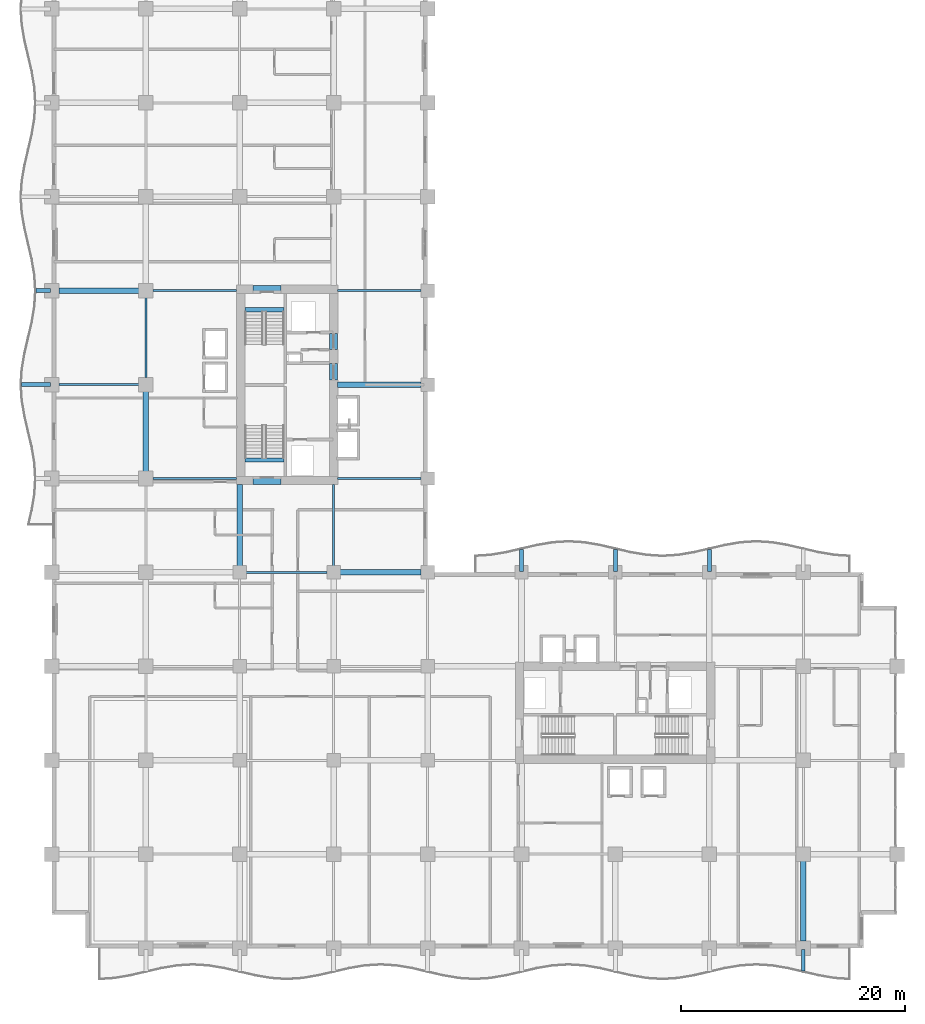
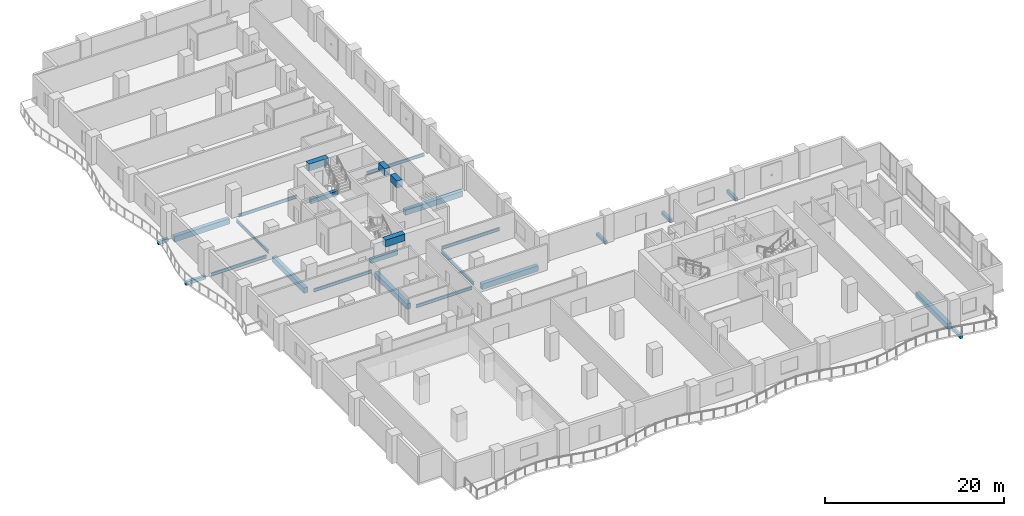
# One storey, part 2 of 24: 26 beams.
"""IFC4 building model written with IfcOpenShell, lengths in metres."""

import ifcopenshell
import ifcopenshell.guid

model = None  # the IFC model being written
_history = None  # IfcOwnerHistory: only IFC2X3 demands one
_inside = {}  # id of a spatial element -> (the spatial element, [elements in it])
_under = {}  # id of a project, library or spatial element -> (it, [spatial elements below it])
_declared = {}  # id of a project -> (the project, [libraries it declares])
_typed = {}  # id of a type object -> (the type object, [elements of that type])
_made_of = {}  # id of a material, layer set ... -> (it, [elements and type objects made of it])


def new_model(schema):
    """Start an empty IFC model of exactly this schema.

    Asked for "IFC4X3", IfcOpenShell would pick the latest addendum, in which some entities
    have other attributes; the version numbers below select the first issue.
    IFC2X3 requires an IfcOwnerHistory on every rooted entity: one is made here for all.
    """
    global model, _history
    if schema == "IFC4X3":
        model = ifcopenshell.file(schema_version=(4, 3, 0, 0))
    else:
        model = ifcopenshell.file(schema=schema)
    _inside.clear()
    _under.clear()
    _declared.clear()
    _typed.clear()
    _made_of.clear()
    _history = None
    if model.schema == "IFC2X3":
        org = make("IfcOrganization", Name="unknown")
        user = make(
            "IfcPersonAndOrganization",
            ThePerson=make("IfcPerson", FamilyName="unknown"),
            TheOrganization=org,
        )
        app = make(
            "IfcApplication",
            ApplicationDeveloper=org,
            Version="unknown",
            ApplicationFullName="unknown",
            ApplicationIdentifier="unknown",
        )
        _history = make(
            "IfcOwnerHistory",
            OwningUser=user,
            OwningApplication=app,
            ChangeAction="ADDED",
            CreationDate=0,
        )
    return model


def make(cls, **values):
    """One entity of the class cls with the attributes given. An attribute that is None is left unset."""
    return model.create_entity(
        cls, **{name: value for name, value in values.items() if value is not None}
    )


def rooted(cls, **values):
    """An entity with a GlobalId (a new one), such as an element, a storey or a relation."""
    return make(cls, GlobalId=ifcopenshell.guid.new(), OwnerHistory=_history, **values)


def si_unit(unit_type, name, prefix=None):
    """IfcSIUnit, for example si_unit("LENGTHUNIT", "METRE", prefix="MILLI")."""
    return make("IfcSIUnit", UnitType=unit_type, Prefix=prefix, Name=name)


def assignment(units):
    """IfcUnitAssignment: the units of a project."""
    return None if units is None else make("IfcUnitAssignment", Units=units)


def point(xyz):
    """IfcCartesianPoint."""
    return None if xyz is None else make("IfcCartesianPoint", Coordinates=xyz)


def direction(xyz):
    """IfcDirection."""
    return None if xyz is None else make("IfcDirection", DirectionRatios=xyz)


def frame(location, z_axis=None, x_axis=None):
    """IfcAxis2Placement3D, a coordinate frame: its origin and axes. An axis left out is left unset."""
    return make(
        "IfcAxis2Placement3D",
        Location=point(location),
        Axis=direction(z_axis),
        RefDirection=direction(x_axis),
    )


def frame_2d(location, x_axis=None):
    """IfcAxis2Placement2D, a coordinate frame in the plane: its origin and x axis."""
    return make(
        "IfcAxis2Placement2D", Location=point(location), RefDirection=direction(x_axis)
    )


def origin():
    """The frame at (0, 0, 0) with its axes left unset."""
    return frame((0.0, 0.0, 0.0))


def origin_2d():
    """The frame at (0, 0) in the plane with its x axis left unset."""
    return frame_2d((0.0, 0.0))


def place(relative_to, where):
    """IfcLocalPlacement: puts the frame where relative to a parent placement (None: the world)."""
    return make(
        "IfcLocalPlacement", PlacementRelTo=relative_to, RelativePlacement=where
    )


def context(
    kind, dimensions, precision=None, world=None, true_north=None, identifier=None
):
    """IfcGeometricRepresentationContext, for example the 3D "Model" context."""
    return make(
        "IfcGeometricRepresentationContext",
        ContextIdentifier=identifier,
        ContextType=kind,
        CoordinateSpaceDimension=dimensions,
        Precision=precision,
        WorldCoordinateSystem=world,
        TrueNorth=true_north,
    )


def subcontext(parent, identifier, kind, view, scale=None):
    """IfcGeometricRepresentationSubContext, for example "Body" below "Model"."""
    return make(
        "IfcGeometricRepresentationSubContext",
        ContextIdentifier=identifier,
        ContextType=kind,
        ParentContext=parent,
        TargetScale=scale,
        TargetView=view,
    )


def project(units=None, contexts=None):
    """IfcProject with its units and contexts."""
    return rooted(
        "IfcProject",
        Name="project",
        RepresentationContexts=contexts,
        UnitsInContext=assignment(units),
    )


def spatial(cls, under=None, at=None, **own):
    """A site, building, storey or space (cls), placed at a placement, below another one or the project."""
    s = rooted(cls, ObjectPlacement=at, **own)
    if under is not None:
        _under.setdefault(under.id(), (under, []))[1].append(s)
    return s


def profile(cls, at=None, kind="AREA", **sizes):
    """A parametric profile (cls). Its sizes go by their IFC names, for example OverallWidth=200.0."""
    return make(cls, ProfileType=kind, Position=at, **sizes)


def rectangle(**sizes):
    """IfcRectangleProfileDef."""
    return profile("IfcRectangleProfileDef", **sizes)


def i_section(**sizes):
    """IfcIShapeProfileDef."""
    return profile("IfcIShapeProfileDef", **sizes)


def extrude(swept, where, along, depth):
    """IfcExtrudedAreaSolid: the profile swept, set in the frame where, extruded along a direction by depth."""
    return make(
        "IfcExtrudedAreaSolid",
        SweptArea=swept,
        Position=where,
        ExtrudedDirection=direction(along),
        Depth=depth,
    )


def shape(context_of_items, identifier, shape_type, items):
    """IfcShapeRepresentation: the items that make up one representation, for example the "Body"."""
    return make(
        "IfcShapeRepresentation",
        ContextOfItems=context_of_items,
        RepresentationIdentifier=identifier,
        RepresentationType=shape_type,
        Items=items,
    )


def material(Name=None, Category=None):
    """IfcMaterial."""
    return make("IfcMaterial", Name=Name, Category=Category)


def material_profile(
    of_material, cross_section, Name=None, Category=None, Priority=None
):
    """IfcMaterialProfile: a cross section and its material."""
    return make(
        "IfcMaterialProfile",
        Name=Name,
        Material=of_material,
        Profile=cross_section,
        Priority=Priority,
        Category=Category,
    )


def profile_set(profiles, Name=None, composite=None):
    """IfcMaterialProfileSet."""
    return make(
        "IfcMaterialProfileSet",
        Name=Name,
        MaterialProfiles=profiles,
        CompositeProfile=composite,
    )


def made_of(thing, what):
    """Note that an element or type object is made of a material, layer set ...; save() writes the relation."""
    if what is not None:
        _made_of.setdefault(what.id(), (what, []))[1].append(thing)
    return thing


def type_object(cls, material=None, **own):
    """A type object (cls), such as IfcWallType, which elements share."""
    return made_of(rooted(cls, **own), material)


def element(
    cls,
    number,
    at=None,
    inside=None,
    cuts=None,
    type_object=None,
    material=None,
    context=None,
    identifier="Body",
    shape_type=None,
    held_by="IfcProductDefinitionShape",
    body=None,
    shapes=None,
    **own,
):
    """One element of the class cls, such as IfcWall. Its Tag is "e" and its number.

    at: its placement. inside: the storey or other place that contains it. cuts: it is an
    opening in that element (IfcRelVoidsElement). A single representation is given by context,
    identifier, shape_type and body (its items); several are given by shapes. held_by: the class
    of the entity that holds the representations. save() writes the other relations.
    """
    e = rooted(cls, Tag="e%d" % number, ObjectPlacement=at, **own)
    if body is not None:
        shapes = [shape(context, identifier, shape_type, body)]
    if shapes is not None:
        e.Representation = make(held_by, Representations=shapes)
    if inside is not None:
        _inside.setdefault(inside.id(), (inside, []))[1].append(e)
    if cuts is not None:
        rooted(
            "IfcRelVoidsElement", RelatingBuildingElement=cuts, RelatedOpeningElement=e
        )
    if type_object is not None:
        _typed.setdefault(type_object.id(), (type_object, []))[1].append(e)
    return made_of(e, material)


def aggregate(whole, parts):
    """IfcRelAggregates: a whole, such as a stair, and the parts it consists of."""
    return rooted("IfcRelAggregates", RelatingObject=whole, RelatedObjects=parts)


def save(model, path):
    """Write the relations noted so far, then the file.

    IfcRelAggregates (storeys below a building ...), IfcRelContainedInSpatialStructure (elements
    in a storey), IfcRelDefinesByType, IfcRelAssociatesMaterial and IfcRelDeclares: one each for
    every whole, place, type object, material and project.
    """
    for whole, parts in _under.values():
        aggregate(whole, parts)
    for where, things in _inside.values():
        rooted(
            "IfcRelContainedInSpatialStructure",
            RelatedElements=things,
            RelatingStructure=where,
        )
    for kind, things in _typed.values():
        rooted("IfcRelDefinesByType", RelatedObjects=things, RelatingType=kind)
    for what, things in _made_of.values():
        rooted("IfcRelAssociatesMaterial", RelatedObjects=things, RelatingMaterial=what)
    for by, libraries in _declared.values():
        rooted("IfcRelDeclares", RelatingContext=by, RelatedDefinitions=libraries)
    model.write(path)


model = new_model("IFC4")

# Units and contexts
model_context = context("Model", 3, precision=1e-05, world=origin(), true_north=direction((0.0, 1.0)))
body_context = subcontext(model_context, "Body", "Model", "MODEL_VIEW")
ifc_project = project(units=[si_unit("LENGTHUNIT", "METRE"), si_unit("AREAUNIT", "SQUARE_METRE"), si_unit("VOLUMEUNIT", "CUBIC_METRE"), si_unit("PLANEANGLEUNIT", "RADIAN"), si_unit("MASSUNIT", "GRAM", prefix="KILO")], contexts=[model_context])

# Site, building, storey
site_placement = place(None, origin())
site = spatial("IfcSite", under=ifc_project, at=site_placement, CompositionType="ELEMENT")
building_placement = place(site_placement, origin())
building = spatial("IfcBuilding", under=site, at=building_placement, Name="Koriwani Terraces Tower", CompositionType="ELEMENT")
storey_placement = place(building_placement, frame((0.0, 0.0, 149.39990234375)))
storey = spatial("IfcBuildingStorey", under=building, at=storey_placement, Name="L36", CompositionType="ELEMENT", Elevation=149.39990234375)

# Beams
ifc_material_1 = material(Name="Concrete C40/50", Category="concrete")
ifc_material_profile_1 = material_profile(ifc_material_1, rectangle(XDim=0.35009765625, YDim=0.449951171875, at=origin_2d()), Name="Concrete C40/50", Category="LoadBearing")
ifc_profile_set_1 = profile_set([ifc_material_profile_1], Name="Concrete C40/50")
beam_type_1 = type_object("IfcBeamType", Name="BEAM_RC_BALCONY_RIB_350X450", PredefinedType="JOIST", material=ifc_profile_set_1)
beam_1_placement = place(storey_placement, frame((67.199951171875, -2.050048828125, -0.474853515625), z_axis=(0.0, 1.0, 0.0), x_axis=(-1.0, 0.0, 0.0)))
element("IfcBeam", 1, at=beam_1_placement, inside=storey, type_object=beam_type_1, Name="L36 Balcony Bracket Rib S-8", PredefinedType="JOIST", context=body_context, shape_type="SweptSolid", body=[
    extrude(rectangle(XDim=0.35009765625, YDim=0.449951171875, at=origin_2d()), origin(), (0.0, 0.0, 1.0), 1.949951171875),
])
beam_2_placement = place(storey_placement, frame((-2.699951171875, 50.39990234375, -0.474853515625), z_axis=(1.0, 0.0, 0.0), x_axis=(0.0, 1.0, 0.0)))
element("IfcBeam", 2, at=beam_2_placement, inside=storey, type_object=beam_type_1, Name="L36 Balcony Bracket Rib W-2", PredefinedType="JOIST", context=body_context, shape_type="SweptSolid", body=[
    extrude(rectangle(XDim=0.35009765625, YDim=0.449951171875, at=origin_2d()), origin(), (0.0, 0.0, 1.0), 2.599853515625),
])
beam_3_placement = place(storey_placement, frame((-1.39990234375, 58.800048828125, -0.474853515625), z_axis=(1.0, 0.0, 0.0), x_axis=(0.0, 1.0, 0.0)))
element("IfcBeam", 3, at=beam_3_placement, inside=storey, type_object=beam_type_1, Name="L36 Balcony Bracket Rib W-3", PredefinedType="JOIST", context=body_context, shape_type="SweptSolid", body=[
    extrude(rectangle(XDim=0.35009765625, YDim=0.449951171875, at=origin_2d()), origin(), (0.0, 0.0, 1.0), 1.2998046875),
])
for number, where, z_axis, x_axis, name in (
    (4, (42.0, 33.699951171875, -0.474853515625), (0.0, 1.0, 0.0), (-1.0, 0.0, 0.0), "L36 Balcony Bracket Rib NE-1"),
    (5, (50.39990234375, 33.699951171875, -0.474853515625), (0.0, 1.0, 0.0), (-1.0, 0.0, 0.0), "L36 Balcony Bracket Rib NE-2"),
    (6, (58.800048828125, 33.699951171875, -0.474853515625), (0.0, 1.0, 0.0), (-1.0, 0.0, 0.0), "L36 Balcony Bracket Rib NE-3"),
):
    element("IfcBeam", number, at=place(storey_placement, frame(where, z_axis=z_axis, x_axis=x_axis)), inside=storey, type_object=beam_type_1, Name=name, PredefinedType="JOIST", context=body_context, shape_type="SweptSolid", body=[
        extrude(rectangle(XDim=0.35009765625, YDim=0.449951171875, at=origin_2d()), origin(), (0.0, 0.0, 1.0), 1.949951171875),
    ])
ifc_material_2 = material(Name="Concrete C60/75", Category="concrete")
ifc_material_profile_2 = material_profile(ifc_material_2, rectangle(XDim=0.699951171875, YDim=0.949951171875, at=origin_2d()), Name="Concrete C60/75", Category="LoadBearing")
ifc_profile_set_2 = profile_set([ifc_material_profile_2], Name="Concrete C60/75")
beam_type_2 = type_object("IfcBeamType", Name="BEAM_RC_COUPLING_700X950", PredefinedType="LINTEL", material=ifc_profile_set_2)
beam_4_placement = place(storey_placement, frame((25.199951171875, 50.800048828125, 3.0751953125), z_axis=(0.0, 1.0, 0.0), x_axis=(-1.0, 0.0, 0.0)))
element("IfcBeam", 7, at=beam_4_placement, inside=storey, type_object=beam_type_2, Name="L36 Core Coupling Lintel Beam WE1", PredefinedType="LINTEL", context=body_context, shape_type="SweptSolid", body=[
    extrude(rectangle(XDim=0.699951171875, YDim=0.949951171875, at=origin_2d()), origin(), (0.0, 0.0, 1.0), 1.47998046875),
])
beam_5_placement = place(storey_placement, frame((25.199951171875, 53.550048828125, 3.0751953125), z_axis=(0.0, 1.0, 0.0), x_axis=(-1.0, 0.0, 0.0)))
element("IfcBeam", 8, at=beam_5_placement, inside=storey, type_object=beam_type_2, Name="L36 Core Coupling Lintel Beam WE2", PredefinedType="LINTEL", context=body_context, shape_type="SweptSolid", body=[
    extrude(rectangle(XDim=0.699951171875, YDim=0.949951171875, at=origin_2d()), origin(), (0.0, 0.0, 1.0), 1.39990234375),
])
for number, where, z_axis, x_axis, name in (
    (9, (18.0, 41.824951171875, 3.0751953125), (1.0, 0.0, 0.0), (0.0, 1.0, 0.0), "L36 Core Coupling Lintel Beam WS"),
    (10, (18.0, 58.925048828125, 3.0751953125), (1.0, 0.0, 0.0), (0.0, 1.0, 0.0), "L36 Core Coupling Lintel Beam WN"),
):
    element("IfcBeam", number, at=place(storey_placement, frame(where, z_axis=z_axis, x_axis=x_axis)), inside=storey, type_object=beam_type_2, Name=name, PredefinedType="LINTEL", context=body_context, shape_type="SweptSolid", body=[
        extrude(rectangle(XDim=0.699951171875, YDim=0.949951171875, at=origin_2d()), origin(), (0.0, 0.0, 1.0), 2.5),
    ])
ifc_material_profile_3 = material_profile(ifc_material_1, rectangle(XDim=0.39990234375, YDim=0.60009765625, at=origin_2d()), Name="Concrete C40/50", Category="LoadBearing")
ifc_profile_set_3 = profile_set([ifc_material_profile_3], Name="Concrete C40/50")
beam_type_3 = type_object("IfcBeamType", Name="BEAM_RC_GRID_400X600", PredefinedType="BEAM", material=ifc_profile_set_3)
for number, where, z_axis, x_axis, name in (
    (11, (17.25, 43.655029296875, -0.2998046875), (1.0, 0.0, 0.0), (0.0, 1.0, 0.0), "L36 Stairwell Header Trimmer Beam ST-W1"),
    (12, (17.25, 57.094970703125, -0.2998046875), (1.0, 0.0, 0.0), (0.0, 1.0, 0.0), "L36 Stairwell Header Trimmer Beam ST-W2"),
):
    element("IfcBeam", number, at=place(storey_placement, frame(where, z_axis=z_axis, x_axis=x_axis)), inside=storey, type_object=beam_type_3, Name=name, PredefinedType="BEAM", context=body_context, shape_type="SweptSolid", body=[
        extrude(rectangle(XDim=0.39990234375, YDim=0.60009765625, at=origin_2d()), origin(), (0.0, 0.0, 1.0), 3.5),
    ])
ifc_material_3 = material(Name="Concrete C50/60", Category="concrete")
ifc_material_profile_4 = material_profile(ifc_material_3, rectangle(XDim=0.5, YDim=0.75, at=origin_2d()), Name="Concrete C50/60", Category="LoadBearing")
ifc_profile_set_4 = profile_set([ifc_material_profile_4], Name="Concrete C50/60")
beam_type_4 = type_object("IfcBeamType", Name="BEAM_RC_GRID_500X750", PredefinedType="BEAM", material=ifc_profile_set_4)
beam_6_placement = place(storey_placement, frame((25.780029296875, 33.60009765625, -0.625), z_axis=(1.0, 0.0, 0.0), x_axis=(0.0, 1.0, 0.0)))
element("IfcBeam", 13, at=beam_6_placement, inside=storey, type_object=beam_type_4, Name="L36 Grid Beam E (25.2-33.6m)", PredefinedType="BEAM", context=body_context, shape_type="SweptSolid", body=[
    extrude(rectangle(XDim=0.5, YDim=0.75, at=origin_2d()), origin(), (0.0, 0.0, 1.0), 7.239990234375),
])
beam_7_placement = place(storey_placement, frame((25.554931640625, 50.39990234375, -0.625), z_axis=(1.0, 0.0, 0.0), x_axis=(0.0, 1.0, 0.0)))
element("IfcBeam", 14, at=beam_7_placement, inside=storey, type_object=beam_type_4, Name="L36 Grid Beam G (25.2-33.6m)", PredefinedType="BEAM", context=body_context, shape_type="SweptSolid", body=[
    extrude(rectangle(XDim=0.5, YDim=0.75, at=origin_2d()), origin(), (0.0, 0.0, 1.0), 7.465087890625),
])
for number, where, z_axis, x_axis, name in (
    (15, (0.6298828125, 58.800048828125, -0.625), (1.0, 0.0, 0.0), (0.0, 1.0, 0.0), "L36 Grid Beam H (0.0-8.4m)"),
    (16, (8.39990234375, 42.6298828125, -0.625), (0.0, 1.0, 0.0), (-1.0, 0.0, 0.0), "L36 Grid Beam 2 (42.0-50.4m)"),
):
    element("IfcBeam", number, at=place(storey_placement, frame(where, z_axis=z_axis, x_axis=x_axis)), inside=storey, type_object=beam_type_4, Name=name, PredefinedType="BEAM", context=body_context, shape_type="SweptSolid", body=[
        extrude(rectangle(XDim=0.5, YDim=0.75, at=origin_2d()), origin(), (0.0, 0.0, 1.0), 7.14013671875),
    ])
beam_8_placement = place(storey_placement, frame((16.800048828125, 34.179931640625, -0.625), z_axis=(0.0, 1.0, 0.0), x_axis=(-1.0, 0.0, 0.0)))
element("IfcBeam", 17, at=beam_8_placement, inside=storey, type_object=beam_type_4, Name="L36 Grid Beam 3 (33.6-42.0m)", PredefinedType="BEAM", context=body_context, shape_type="SweptSolid", body=[
    extrude(rectangle(XDim=0.5, YDim=0.75, at=origin_2d()), origin(), (0.0, 0.0, 1.0), 7.2900390625),
])
beam_9_placement = place(storey_placement, frame((67.199951171875, 0.6298828125, -0.625), z_axis=(0.0, 1.0, 0.0), x_axis=(-1.0, 0.0, 0.0)))
element("IfcBeam", 18, at=beam_9_placement, inside=storey, type_object=beam_type_4, Name="L36 Grid Beam 9 (0.0-8.4m)", PredefinedType="BEAM", context=body_context, shape_type="SweptSolid", body=[
    extrude(rectangle(XDim=0.5, YDim=0.75, at=origin_2d()), origin(), (0.0, 0.0, 1.0), 7.14013671875),
])
ifc_material_4 = material(Name="Steel ASTM A572 Grade 50", Category="steel")
ifc_material_profile_5 = material_profile(ifc_material_4, i_section(OverallWidth=0.180908203125, OverallDepth=0.4169921875, WebThickness=0.010986328125, FlangeThickness=0.018310546875, at=origin_2d()), Name="Steel ASTM A572 Grade 50", Category="LoadBearing")
ifc_profile_set_5 = profile_set([ifc_material_profile_5], Name="Steel ASTM A572 Grade 50")
beam_type_5 = type_object("IfcBeamType", Name="STEEL_BEAM_W410X85", PredefinedType="JOIST", material=ifc_profile_set_5)
beam_10_placement = place(storey_placement, frame((17.3798828125, 33.60009765625, -0.45849609375), z_axis=(1.0, 0.0, 0.0), x_axis=(0.0, 1.0, 0.0)))
element("IfcBeam", 19, at=beam_10_placement, inside=storey, type_object=beam_type_5, Name="L36 Grid Beam E (16.8-25.2m)", PredefinedType="JOIST", context=body_context, shape_type="SweptSolid", body=[
    extrude(i_section(OverallWidth=0.180908203125, OverallDepth=0.4169921875, WebThickness=0.010986328125, FlangeThickness=0.018310546875, at=origin_2d()), origin(), (0.0, 0.0, 1.0), 7.240234375),
])
beam_11_placement = place(storey_placement, frame((9.030029296875, 42.0, -0.45849609375), z_axis=(1.0, 0.0, 0.0), x_axis=(0.0, 1.0, 0.0)))
element("IfcBeam", 20, at=beam_11_placement, inside=storey, type_object=beam_type_5, Name="L36 Grid Beam F (8.4-16.8m)", PredefinedType="JOIST", context=body_context, shape_type="SweptSolid", body=[
    extrude(i_section(OverallWidth=0.180908203125, OverallDepth=0.4169921875, WebThickness=0.010986328125, FlangeThickness=0.018310546875, at=origin_2d()), origin(), (0.0, 0.0, 1.0), 7.489990234375),
])
beam_12_placement = place(storey_placement, frame((25.554931640625, 42.0, -0.45849609375), z_axis=(1.0, 0.0, 0.0), x_axis=(0.0, 1.0, 0.0)))
element("IfcBeam", 21, at=beam_12_placement, inside=storey, type_object=beam_type_5, Name="L36 Grid Beam F (25.2-33.6m)", PredefinedType="JOIST", context=body_context, shape_type="SweptSolid", body=[
    extrude(i_section(OverallWidth=0.180908203125, OverallDepth=0.4169921875, WebThickness=0.010986328125, FlangeThickness=0.018310546875, at=origin_2d()), origin(), (0.0, 0.0, 1.0), 7.465087890625),
])
beam_13_placement = place(storey_placement, frame((0.6298828125, 50.39990234375, -0.45849609375), z_axis=(1.0, 0.0, 0.0), x_axis=(0.0, 1.0, 0.0)))
element("IfcBeam", 22, at=beam_13_placement, inside=storey, type_object=beam_type_5, Name="L36 Grid Beam G (0.0-8.4m)", PredefinedType="JOIST", context=body_context, shape_type="SweptSolid", body=[
    extrude(i_section(OverallWidth=0.180908203125, OverallDepth=0.4169921875, WebThickness=0.010986328125, FlangeThickness=0.018310546875, at=origin_2d()), origin(), (0.0, 0.0, 1.0), 7.14013671875),
])
beam_14_placement = place(storey_placement, frame((9.030029296875, 58.800048828125, -0.45849609375), z_axis=(1.0, 0.0, 0.0), x_axis=(0.0, 1.0, 0.0)))
element("IfcBeam", 23, at=beam_14_placement, inside=storey, type_object=beam_type_5, Name="L36 Grid Beam H (8.4-16.8m)", PredefinedType="JOIST", context=body_context, shape_type="SweptSolid", body=[
    extrude(i_section(OverallWidth=0.180908203125, OverallDepth=0.4169921875, WebThickness=0.010986328125, FlangeThickness=0.018310546875, at=origin_2d()), origin(), (0.0, 0.0, 1.0), 7.489990234375),
])
beam_15_placement = place(storey_placement, frame((25.554931640625, 58.800048828125, -0.45849609375), z_axis=(1.0, 0.0, 0.0), x_axis=(0.0, 1.0, 0.0)))
element("IfcBeam", 24, at=beam_15_placement, inside=storey, type_object=beam_type_5, Name="L36 Grid Beam H (25.2-33.6m)", PredefinedType="JOIST", context=body_context, shape_type="SweptSolid", body=[
    extrude(i_section(OverallWidth=0.180908203125, OverallDepth=0.4169921875, WebThickness=0.010986328125, FlangeThickness=0.018310546875, at=origin_2d()), origin(), (0.0, 0.0, 1.0), 7.465087890625),
])
beam_16_placement = place(storey_placement, frame((8.39990234375, 51.030029296875, -0.45849609375), z_axis=(0.0, 1.0, 0.0), x_axis=(-1.0, 0.0, 0.0)))
element("IfcBeam", 25, at=beam_16_placement, inside=storey, type_object=beam_type_5, Name="L36 Grid Beam 2 (50.4-58.8m)", PredefinedType="JOIST", context=body_context, shape_type="SweptSolid", body=[
    extrude(i_section(OverallWidth=0.180908203125, OverallDepth=0.4169921875, WebThickness=0.010986328125, FlangeThickness=0.018310546875, at=origin_2d()), origin(), (0.0, 0.0, 1.0), 7.139892578125),
])
beam_17_placement = place(storey_placement, frame((25.199951171875, 34.179931640625, -0.45849609375), z_axis=(0.0, 1.0, 0.0), x_axis=(-1.0, 0.0, 0.0)))
element("IfcBeam", 26, at=beam_17_placement, inside=storey, type_object=beam_type_5, Name="L36 Grid Beam 4 (33.6-42.0m)", PredefinedType="JOIST", context=body_context, shape_type="SweptSolid", body=[
    extrude(i_section(OverallWidth=0.180908203125, OverallDepth=0.4169921875, WebThickness=0.010986328125, FlangeThickness=0.018310546875, at=origin_2d()), origin(), (0.0, 0.0, 1.0), 7.2900390625),
])

save(model, "model.ifc")
